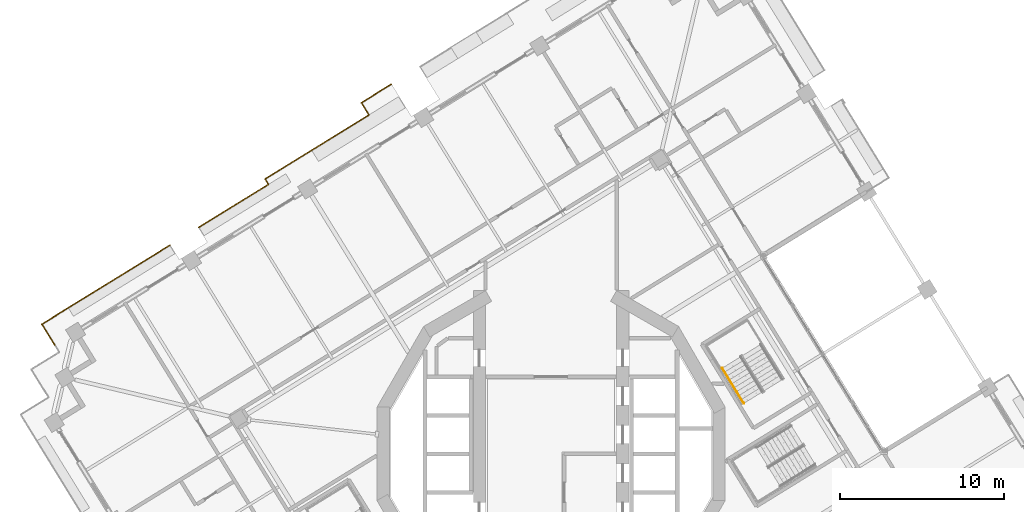
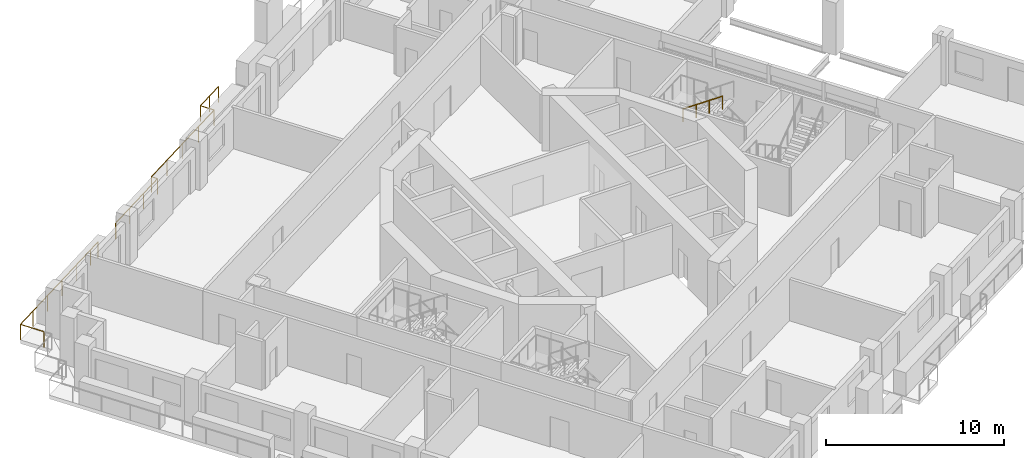
# One storey, part 18 of 21: 3 railings.
"""IFC4 building model written with IfcOpenShell, lengths in metres."""

from ifc_helpers import new_model, si_unit, direction, frame, origin, origin_2d, place, context, subcontext, project, spatial, circle, extrude, material, type_object, element, save


model = new_model("IFC4")

# Units and contexts
model_context = context("Model", 3, precision=1e-05, world=origin(), true_north=direction((0.0, 1.0)))
body_context = subcontext(model_context, "Body", "Model", "MODEL_VIEW")
ifc_project = project(units=[si_unit("LENGTHUNIT", "METRE"), si_unit("AREAUNIT", "SQUARE_METRE"), si_unit("VOLUMEUNIT", "CUBIC_METRE"), si_unit("PLANEANGLEUNIT", "RADIAN"), si_unit("MASSUNIT", "GRAM", prefix="KILO")], contexts=[model_context])

# Site, building, storey
site_placement = place(None, origin())
site = spatial("IfcSite", under=ifc_project, at=site_placement, CompositionType="ELEMENT")
building_placement = place(site_placement, origin())
building = spatial("IfcBuilding", under=site, at=building_placement, Name="Cantera Rosa Tower", CompositionType="ELEMENT")
storey_placement = place(building_placement, frame((0.0, 0.0, 185.60009765625)))
storey = spatial("IfcBuildingStorey", under=building, at=storey_placement, Name="L41", CompositionType="ELEMENT", Elevation=185.60009765625)

# Railings
ifc_material_1 = material(Name="Stainless steel and laminated glass", Category="steel")
railing_type_1 = type_object("IfcRailingType", Name="GUARD 1100", PredefinedType="BALUSTRADE", material=ifc_material_1)
railing_1_placement = place(storey_placement, frame((-30.293212890625, 6.634521484375, 0.0)))
element("IfcRailing", 1, at=railing_1_placement, inside=storey, type_object=railing_type_1, Name="GUARD L41-4", PredefinedType="BALUSTRADE", context=body_context, shape_type="SweptSolid", body=[
    extrude(circle(Radius=0.030029296875, at=origin_2d()), frame((0.0, 0.0, 1.070068359375), z_axis=(-0.524869051004, 0.85118298814, 0.0), x_axis=(-0.85118298814, -0.524869051004, 0.0)), (0.0, 0.0, 1.0), 1.5),
    extrude(circle(Radius=0.030029296875, at=origin_2d()), frame((-0.787353515625, 1.27685546875, 1.070068359375), z_axis=(0.851138143202, 0.52494176933, 0.0), x_axis=(-0.52494176933, 0.851138143202, 0.0)), (0.0, 0.0, 1.0), 1.5),
    extrude(circle(Radius=0.030029296875, at=origin_2d()), frame((0.4892578125, 2.064208984375, 1.070068359375), z_axis=(0.851120753703, 0.524969963537, 0.0), x_axis=(-0.524969963537, 0.851120753703, 0.0)), (0.0, 0.0, 1.0), 6.820068359375),
    extrude(circle(Radius=0.030029296875, at=origin_2d()), frame((6.2939453125, 5.64453125, 1.070068359375), z_axis=(0.851089370259, 0.525020841331, 0.0), x_axis=(-0.525020841331, 0.851089370259, 0.0)), (0.0, 0.0, 1.0), 0.8701171875),
    extrude(circle(Radius=0.02490234375, at=origin_2d()), origin(), (0.0, 0.0, 1.0), 1.0400390625),
    extrude(circle(Radius=0.02490234375, at=origin_2d()), frame((-0.787353515625, 1.27685546875, 0.0)), (0.0, 0.0, 1.0), 1.0400390625),
    extrude(circle(Radius=0.02490234375, at=origin_2d()), frame((0.4892578125, 2.064208984375, 0.0)), (0.0, 0.0, 1.0), 1.0400390625),
    extrude(circle(Radius=0.02490234375, at=origin_2d()), frame((1.9404296875, 2.959228515625, 0.0)), (0.0, 0.0, 1.0), 1.0400390625),
    extrude(circle(Radius=0.02490234375, at=origin_2d()), frame((3.3916015625, 3.8544921875, 0.0)), (0.0, 0.0, 1.0), 1.0400390625),
    extrude(circle(Radius=0.02490234375, at=origin_2d()), frame((4.8427734375, 4.74951171875, 0.0)), (0.0, 0.0, 1.0), 1.0400390625),
    extrude(circle(Radius=0.02490234375, at=origin_2d()), frame((6.2939453125, 5.64453125, 0.0)), (0.0, 0.0, 1.0), 1.0400390625),
    extrude(circle(Radius=0.02490234375, at=origin_2d()), frame((7.034423828125, 6.101318359375, 0.0)), (0.0, 0.0, 1.0), 1.0400390625),
])
railing_2_placement = place(storey_placement, frame((-21.505615234375, 13.817138671875, 0.0)))
element("IfcRailing", 2, at=railing_2_placement, inside=storey, type_object=railing_type_1, Name="GUARD L41-6", PredefinedType="BALUSTRADE", context=body_context, shape_type="SweptSolid", body=[
    extrude(circle(Radius=0.030029296875, at=origin_2d()), frame((0.0, 0.0, 1.070068359375), z_axis=(0.850339408664, 0.52623463405, 0.0), x_axis=(-0.52623463405, 0.850339408664, 0.0)), (0.0, 0.0, 1.0), 0.070068359375),
    extrude(circle(Radius=0.030029296875, at=origin_2d()), frame((0.0595703125, 0.036865234375, 1.070068359375), z_axis=(0.851115563534, 0.524978378136, 0.0), x_axis=(-0.524978378136, 0.851115563534, 0.0)), (0.0, 0.0, 1.0), 4.930908203125),
    extrude(circle(Radius=0.030029296875, at=origin_2d()), frame((4.25634765625, 2.62548828125, 1.070068359375), z_axis=(-0.524797740266, 0.851226956699, 0.0), x_axis=(-0.851226956699, -0.524797740266, 0.0)), (0.0, 0.0, 1.0), 0.388916015625),
    extrude(circle(Radius=0.030029296875, at=origin_2d()), frame((4.05224609375, 2.95654296875, 1.070068359375), z_axis=(0.851109306272, 0.52498852252, 0.0), x_axis=(-0.52498852252, 0.851109306272, 0.0)), (0.0, 0.0, 1.0), 7.442138671875),
    extrude(circle(Radius=0.030029296875, at=origin_2d()), frame((10.38623046875, 6.863525390625, 1.070068359375), z_axis=(-0.52496592251, 0.851123246189, 0.0), x_axis=(-0.851123246189, -0.52496592251, 0.0)), (0.0, 0.0, 1.0), 0.8779296875),
    extrude(circle(Radius=0.030029296875, at=origin_2d()), frame((9.92529296875, 7.61083984375, 1.070068359375), z_axis=(0.851128332412, 0.524957676166, 0.0), x_axis=(-0.524957676166, 0.851128332412, 0.0)), (0.0, 0.0, 1.0), 2.136962890625),
    extrude(circle(Radius=0.02490234375, at=origin_2d()), origin(), (0.0, 0.0, 1.0), 1.0400390625),
    extrude(circle(Radius=0.02490234375, at=origin_2d()), frame((0.0595703125, 0.036865234375, 0.0)), (0.0, 0.0, 1.0), 1.0400390625),
    extrude(circle(Radius=0.02490234375, at=origin_2d()), frame((1.45849609375, 0.899658203125, 0.0)), (0.0, 0.0, 1.0), 1.0400390625),
    extrude(circle(Radius=0.02490234375, at=origin_2d()), frame((2.857421875, 1.7626953125, 0.0)), (0.0, 0.0, 1.0), 1.0400390625),
    extrude(circle(Radius=0.02490234375, at=origin_2d()), frame((4.25634765625, 2.62548828125, 0.0)), (0.0, 0.0, 1.0), 1.0400390625),
    extrude(circle(Radius=0.02490234375, at=origin_2d()), frame((4.05224609375, 2.95654296875, 0.0)), (0.0, 0.0, 1.0), 1.0400390625),
    extrude(circle(Radius=0.02490234375, at=origin_2d()), frame((5.6357421875, 3.933349609375, 0.0)), (0.0, 0.0, 1.0), 1.0400390625),
    extrude(circle(Radius=0.02490234375, at=origin_2d()), frame((7.21923828125, 4.91015625, 0.0)), (0.0, 0.0, 1.0), 1.0400390625),
    extrude(circle(Radius=0.02490234375, at=origin_2d()), frame((8.802734375, 5.88671875, 0.0)), (0.0, 0.0, 1.0), 1.0400390625),
    extrude(circle(Radius=0.02490234375, at=origin_2d()), frame((10.38623046875, 6.863525390625, 0.0)), (0.0, 0.0, 1.0), 1.0400390625),
    extrude(circle(Radius=0.02490234375, at=origin_2d()), frame((9.92529296875, 7.61083984375, 0.0)), (0.0, 0.0, 1.0), 1.0400390625),
    extrude(circle(Radius=0.02490234375, at=origin_2d()), frame((10.834716796875, 8.171875, 0.0)), (0.0, 0.0, 1.0), 1.0400390625),
    extrude(circle(Radius=0.02490234375, at=origin_2d()), frame((11.744140625, 8.732666015625, 0.0)), (0.0, 0.0, 1.0), 1.0400390625),
])
ifc_material_2 = material(Name="Steel S355J2 (EN 10025-2)", Category="steel")
railing_type_2 = type_object("IfcRailingType", Name="STAIR HANDRAIL 900", PredefinedType="HANDRAIL", material=ifc_material_2)
railing_3_placement = place(storey_placement, frame((10.441650390625, 5.2314453125, 2.08984375)))
element("IfcRailing", 3, at=railing_3_placement, inside=storey, type_object=railing_type_2, Name="L41 ST-31 stair handrail 2", PredefinedType="HANDRAIL", context=body_context, shape_type="SweptSolid", body=[
    extrude(circle(Radius=0.02392578125, at=origin_2d()), frame((0.0, 0.0, 0.8759765625), z_axis=(0.434427613125, -0.704271375033, 0.561493080334), x_axis=(0.851102330005, 0.524999832248, 0.0)), (0.0, 0.0, 1.0), 3.04541015625),
    extrude(circle(Radius=0.02099609375, at=origin_2d()), origin(), (0.0, 0.0, 1.0), 0.851806640625),
    extrude(circle(Radius=0.02099609375, at=origin_2d()), frame((0.44091796875, -0.71484375, 0.570068359375)), (0.0, 0.0, 1.0), 0.851806640625),
    extrude(circle(Radius=0.02099609375, at=origin_2d()), frame((0.882080078125, -1.429931640625, 1.139892578125)), (0.0, 0.0, 1.0), 0.851806640625),
    extrude(circle(Radius=0.02099609375, at=origin_2d()), frame((1.322998046875, -2.144775390625, 1.7099609375)), (0.0, 0.0, 1.0), 0.851806640625),
])

save(model, "model.ifc")
